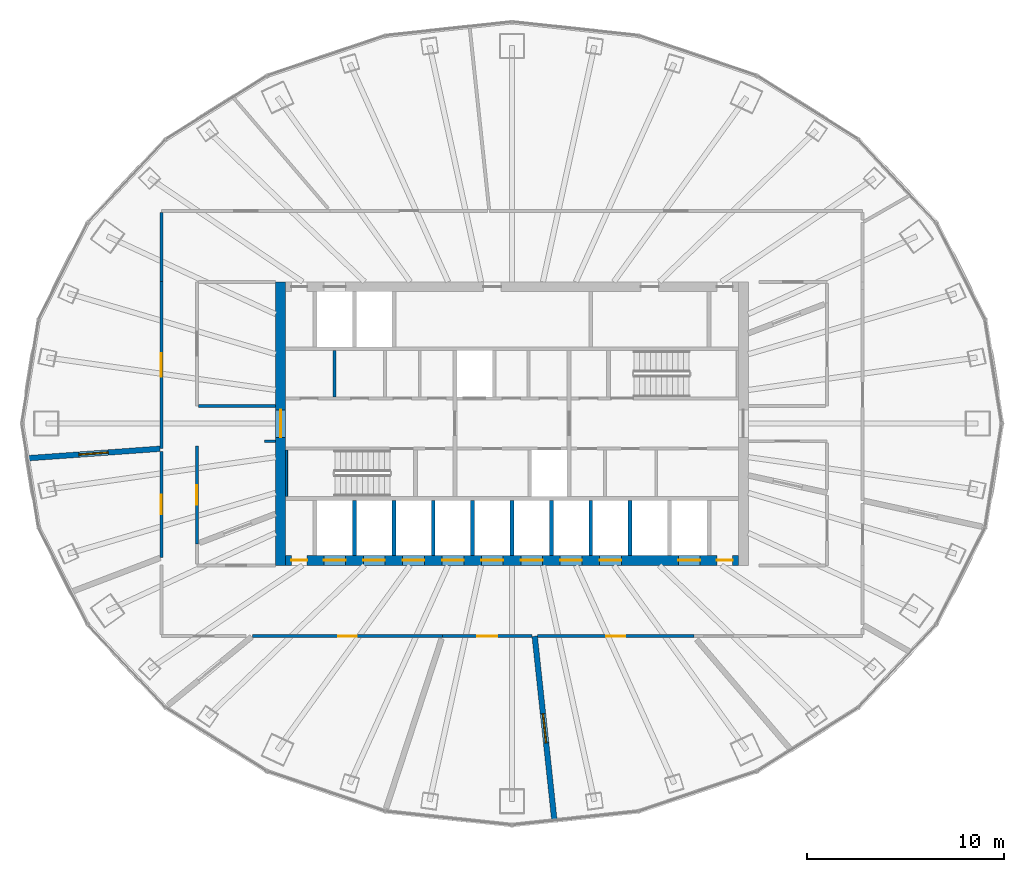
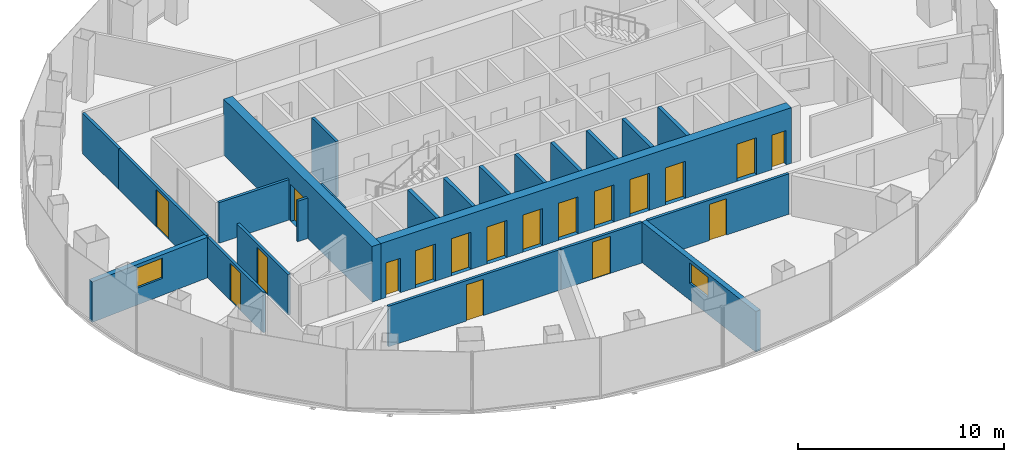
# One storey, part 8 of 12: 23 walls, 18 doors, 2 windows, 20 openings.
"""IFC4 building model written with IfcOpenShell, lengths in metres."""

from ifc_helpers import new_model, si_unit, direction, frame, frame_2d, origin, place, context, subcontext, project, spatial, rectangle, extrude, material, layer, layer_set, type_object, element, fill, save


model = new_model("IFC4")

# Units and contexts
model_context = context("Model", 3, precision=1e-05, world=origin(), true_north=direction((0.0, 1.0)))
body_context = subcontext(model_context, "Body", "Model", "MODEL_VIEW")
ifc_project = project(units=[si_unit("LENGTHUNIT", "METRE"), si_unit("AREAUNIT", "SQUARE_METRE"), si_unit("VOLUMEUNIT", "CUBIC_METRE"), si_unit("PLANEANGLEUNIT", "RADIAN"), si_unit("MASSUNIT", "GRAM", prefix="KILO")], contexts=[model_context])

# Site, building, storey
site_placement = place(None, origin())
site = spatial("IfcSite", under=ifc_project, at=site_placement, CompositionType="ELEMENT")
building_placement = place(site_placement, origin())
building = spatial("IfcBuilding", under=site, at=building_placement, Name="Siaravel Broadcast Tower", CompositionType="ELEMENT")
storey_placement = place(building_placement, frame((0.0, 0.0, 137.800048828125)))
storey = spatial("IfcBuildingStorey", under=building, at=storey_placement, Name="L33", CompositionType="ELEMENT", Elevation=137.800048828125)

# Wall, opening, window
ifc_material_1 = material(Name="Double-leaf acoustic partition", Category="gypsum")
ifc_layer_1 = layer(ifc_material_1, 0.280029296875)
ifc_layer_set_1 = layer_set([ifc_layer_1], Name="Double-leaf acoustic partition")
wall_type_1 = type_object("IfcWallType", Name="Acoustic double-leaf wall 280", PredefinedType="PARTITIONING", material=ifc_layer_set_1)
wall_1_placement = place(storey_placement, frame((2.152099609375, -20.147705078125, 0.0), z_axis=(0.0, 0.0, 1.0), x_axis=(-0.106217678, 0.994342901, 0.0)))
wall_1 = element("IfcWall", 1, at=wall_1_placement, inside=storey, type_object=wall_type_1, Name="L33 partition 5", PredefinedType="PARTITIONING", context=body_context, shape_type="SweptSolid", body=[
    extrude(rectangle(XDim=9.40087890625, YDim=0.280029296875, at=frame_2d((4.700439453125, 0.0))), origin(), (0.0, 0.0, 1.0), 2.39990234375),
])
opening_1_placement = place(wall_1_placement, frame((3.950439453125, 0.0, 1.0)))
opening_1 = element("IfcOpeningElement", 2, at=opening_1_placement, cuts=wall_1, Name="Opening L33-W04", PredefinedType="OPENING", context=body_context, shape_type="SweptSolid", body=[
    extrude(rectangle(XDim=1.5, YDim=1.199951171875, at=frame_2d((0.75, 0.60009765625))), frame((0.0, 0.14990234375, 0.0), z_axis=(0.0, -1.0, 0.0), x_axis=(1.0, 0.0, 0.0)), (0.0, 0.0, 1.0), 0.300048828125),
])
ifc_material_2 = material(Name="Laminated acoustic glass", Category="glass")
window_type = type_object("IfcWindowType", Name="Studio viewing window 1500", PartitioningType="SINGLE_PANEL", PredefinedType="WINDOW", material=ifc_material_2)
window_1_placement = place(opening_1_placement, origin())
window_1 = element("IfcWindow", 3, at=window_1_placement, inside=storey, type_object=window_type, Name="L33 viewing window to Viewing theatre", OverallHeight=1.199951171875, OverallWidth=1.5, PartitioningType="SINGLE_PANEL", PredefinedType="WINDOW", context=body_context, shape_type="SweptSolid", body=[
    extrude(rectangle(XDim=1.5, YDim=1.199951171875, at=frame_2d((0.75, 0.60009765625))), frame((0.0, 0.030029296875, 0.0), z_axis=(0.0, -1.0, 0.0), x_axis=(1.0, 0.0, 0.0)), (0.0, 0.0, 1.0), 0.06005859375),
])
fill(opening_1, window_1)

wall_2_placement = place(storey_placement, frame((-24.622314453125, -1.764404296875, 0.0), z_axis=(0.0, 0.0, 1.0), x_axis=(0.997442181, 0.071477941, 0.0)))
wall_2 = element("IfcWall", 4, at=wall_2_placement, inside=storey, type_object=wall_type_1, Name="L33 partition 14", PredefinedType="PARTITIONING", context=body_context, shape_type="SweptSolid", body=[
    extrude(rectangle(XDim=6.762939453125, YDim=0.280029296875, at=frame_2d((3.38134765625, 0.0))), origin(), (0.0, 0.0, 1.0), 2.39990234375),
])
opening_2_placement = place(wall_2_placement, frame((2.631591796875, 0.0, 1.0)))
opening_2 = element("IfcOpeningElement", 5, at=opening_2_placement, cuts=wall_2, Name="Opening L33-W01", PredefinedType="OPENING", context=body_context, shape_type="SweptSolid", body=[
    extrude(rectangle(XDim=1.5, YDim=1.199951171875, at=frame_2d((0.75, 0.60009765625))), frame((0.0, 0.14990234375, 0.0), z_axis=(0.0, -1.0, 0.0), x_axis=(1.0, 0.0, 0.0)), (0.0, 0.0, 1.0), 0.300048828125),
])
window_2_placement = place(opening_2_placement, origin())
window_2 = element("IfcWindow", 6, at=window_2_placement, inside=storey, type_object=window_type, Name="L33 viewing window to Post-production room", OverallHeight=1.199951171875, OverallWidth=1.5, PartitioningType="SINGLE_PANEL", PredefinedType="WINDOW", context=body_context, shape_type="SweptSolid", body=[
    extrude(rectangle(XDim=1.5, YDim=1.199951171875, at=frame_2d((0.75, 0.60009765625))), frame((0.0, 0.030029296875, 0.0), z_axis=(0.0, -1.0, 0.0), x_axis=(1.0, 0.0, 0.0)), (0.0, 0.0, 1.0), 0.06005859375),
])
fill(opening_2, window_2)

# Wall
ifc_material_3 = material(Name="Concrete blockwork", Category="masonry")
ifc_layer_2 = layer(ifc_material_3, 0.14990234375)
ifc_layer_set_2 = layer_set([ifc_layer_2], Name="Concrete blockwork")
wall_type_2 = type_object("IfcWallType", Name="Core partition 150", PredefinedType="PARTITIONING", material=ifc_layer_set_2)
wall_3_placement = place(storey_placement, frame((-9.010009765625, 1.35009765625, 0.0), z_axis=(0.0, 0.0, 1.0), x_axis=(0.0, 1.0, 0.0)))
element("IfcWall", 7, at=wall_3_placement, inside=storey, type_object=wall_type_2, Name="L33 core partition PNW0", PredefinedType="PARTITIONING", context=body_context, shape_type="SweptSolid", body=[
    extrude(rectangle(XDim=2.349853515625, YDim=0.14990234375, at=frame_2d((1.1748046875, 0.0))), origin(), (0.0, 0.0, 1.0), 3.300048828125),
])

# Wall, opening, door
ifc_material_4 = material(Name="Concrete C60/75", Category="concrete")
ifc_layer_3 = layer(ifc_material_4, 0.5)
ifc_layer_set_3 = layer_set([ifc_layer_3], Name="Concrete C60/75")
wall_type_3 = type_object("IfcWallType", Name="Core wall 500", PredefinedType="SHEAR", material=ifc_layer_set_3)
wall_4_placement = place(storey_placement, frame((-11.75, -7.199951171875, 0.0), z_axis=(0.0, 0.0, 1.0), x_axis=(0.0, 1.0, 0.0)))
wall_4 = element("IfcWall", 8, at=wall_4_placement, inside=storey, type_object=wall_type_3, Name="L33 core wall OW", PredefinedType="SHEAR", context=body_context, shape_type="SweptSolid", body=[
    extrude(rectangle(XDim=14.39990234375, YDim=0.5, at=frame_2d((7.199951171875, 0.0))), origin(), (0.0, 0.0, 1.0), 3.300048828125),
])
opening_3_placement = place(wall_4_placement, frame((6.5, 0.0, 0.0)))
opening_3 = element("IfcOpeningElement", 9, at=opening_3_placement, cuts=wall_4, Name="Opening L33-DX-W", PredefinedType="OPENING", context=body_context, shape_type="SweptSolid", body=[
    extrude(rectangle(XDim=1.39990234375, YDim=2.199951171875, at=frame_2d((0.699951171875, 1.10009765625))), frame((0.0, 0.260009765625, 0.0), z_axis=(0.0, -1.0, 0.0), x_axis=(1.0, 0.0, 0.0)), (0.0, 0.0, 1.0), 0.52001953125),
])
ifc_material_5 = material(Name="Steel", Category="steel")
door_type_1 = type_object("IfcDoorType", Name="Core exit door 1400", OperationType="DOUBLE_DOOR_SINGLE_SWING", PredefinedType="DOOR", material=ifc_material_5)
door_1_placement = place(opening_3_placement, origin())
door_1 = element("IfcDoor", 10, at=door_1_placement, inside=storey, type_object=door_type_1, Name="L33 door DX-W", OperationType="DOUBLE_DOOR_SINGLE_SWING", OverallHeight=2.199951171875, OverallWidth=1.39990234375, PredefinedType="DOOR", context=body_context, shape_type="SweptSolid", body=[
    extrude(rectangle(XDim=1.39990234375, YDim=2.199951171875, at=frame_2d((0.699951171875, 1.10009765625))), frame((0.0, 0.02490234375, 0.0), z_axis=(0.0, -1.0, 0.0), x_axis=(1.0, 0.0, 0.0)), (0.0, 0.0, 1.0), 0.050048828125),
])
fill(opening_3, door_1)

# Wall, openings, doors
wall_5_placement = place(storey_placement, frame((-11.5, -6.949951171875, 0.0), z_axis=(0.0, 0.0, 1.0), x_axis=(1.0, 0.0, 0.0)))
wall_5 = element("IfcWall", 11, at=wall_5_placement, inside=storey, type_object=wall_type_3, Name="L33 core wall OS", PredefinedType="SHEAR", context=body_context, shape_type="SweptSolid", body=[
    extrude(rectangle(XDim=23.0, YDim=0.5, at=frame_2d((11.5, 0.0))), origin(), (0.0, 0.0, 1.0), 3.300048828125),
])
opening_4_placement = place(wall_5_placement, frame((1.949951171875, 0.0, 0.0)))
opening_4 = element("IfcOpeningElement", 12, at=opening_4_placement, cuts=wall_5, Name="Opening LD-LP1-L33", PredefinedType="OPENING", context=body_context, shape_type="SweptSolid", body=[
    extrude(rectangle(XDim=1.10009765625, YDim=2.199951171875, at=frame_2d((0.550048828125, 1.10009765625))), frame((0.0, 0.260009765625, 0.0), z_axis=(0.0, -1.0, 0.0), x_axis=(1.0, 0.0, 0.0)), (0.0, 0.0, 1.0), 0.52001953125),
])
opening_5_placement = place(wall_5_placement, frame((3.949951171875, 0.0, 0.0)))
opening_5 = element("IfcOpeningElement", 13, at=opening_5_placement, cuts=wall_5, Name="Opening LD-LP2-L33", PredefinedType="OPENING", context=body_context, shape_type="SweptSolid", body=[
    extrude(rectangle(XDim=1.10009765625, YDim=2.199951171875, at=frame_2d((0.550048828125, 1.10009765625))), frame((0.0, 0.260009765625, 0.0), z_axis=(0.0, -1.0, 0.0), x_axis=(1.0, 0.0, 0.0)), (0.0, 0.0, 1.0), 0.52001953125),
])
opening_6_placement = place(wall_5_placement, frame((5.949951171875, 0.0, 0.0)))
opening_6 = element("IfcOpeningElement", 14, at=opening_6_placement, cuts=wall_5, Name="Opening LD-LP3-L33", PredefinedType="OPENING", context=body_context, shape_type="SweptSolid", body=[
    extrude(rectangle(XDim=1.10009765625, YDim=2.199951171875, at=frame_2d((0.550048828125, 1.10009765625))), frame((0.0, 0.260009765625, 0.0), z_axis=(0.0, -1.0, 0.0), x_axis=(1.0, 0.0, 0.0)), (0.0, 0.0, 1.0), 0.52001953125),
])
opening_7_placement = place(wall_5_placement, frame((7.949951171875, 0.0, 0.0)))
opening_7 = element("IfcOpeningElement", 15, at=opening_7_placement, cuts=wall_5, Name="Opening LD-LP4-L33", PredefinedType="OPENING", context=body_context, shape_type="SweptSolid", body=[
    extrude(rectangle(XDim=1.10009765625, YDim=2.199951171875, at=frame_2d((0.550048828125, 1.10009765625))), frame((0.0, 0.260009765625, 0.0), z_axis=(0.0, -1.0, 0.0), x_axis=(1.0, 0.0, 0.0)), (0.0, 0.0, 1.0), 0.52001953125),
])
opening_8_placement = place(wall_5_placement, frame((9.949951171875, 0.0, 0.0)))
opening_8 = element("IfcOpeningElement", 16, at=opening_8_placement, cuts=wall_5, Name="Opening LD-LP5-L33", PredefinedType="OPENING", context=body_context, shape_type="SweptSolid", body=[
    extrude(rectangle(XDim=1.10009765625, YDim=2.199951171875, at=frame_2d((0.550048828125, 1.10009765625))), frame((0.0, 0.260009765625, 0.0), z_axis=(0.0, -1.0, 0.0), x_axis=(1.0, 0.0, 0.0)), (0.0, 0.0, 1.0), 0.52001953125),
])
opening_9_placement = place(wall_5_placement, frame((11.949951171875, 0.0, 0.0)))
opening_9 = element("IfcOpeningElement", 17, at=opening_9_placement, cuts=wall_5, Name="Opening LD-LP6-L33", PredefinedType="OPENING", context=body_context, shape_type="SweptSolid", body=[
    extrude(rectangle(XDim=1.10009765625, YDim=2.199951171875, at=frame_2d((0.550048828125, 1.10009765625))), frame((0.0, 0.260009765625, 0.0), z_axis=(0.0, -1.0, 0.0), x_axis=(1.0, 0.0, 0.0)), (0.0, 0.0, 1.0), 0.52001953125),
])
opening_10_placement = place(wall_5_placement, frame((13.949951171875, 0.0, 0.0)))
opening_10 = element("IfcOpeningElement", 18, at=opening_10_placement, cuts=wall_5, Name="Opening LD-LP7-L33", PredefinedType="OPENING", context=body_context, shape_type="SweptSolid", body=[
    extrude(rectangle(XDim=1.10009765625, YDim=2.199951171875, at=frame_2d((0.550048828125, 1.10009765625))), frame((0.0, 0.260009765625, 0.0), z_axis=(0.0, -1.0, 0.0), x_axis=(1.0, 0.0, 0.0)), (0.0, 0.0, 1.0), 0.52001953125),
])
opening_11_placement = place(wall_5_placement, frame((15.949951171875, 0.0, 0.0)))
opening_11 = element("IfcOpeningElement", 19, at=opening_11_placement, cuts=wall_5, Name="Opening LD-LP8-L33", PredefinedType="OPENING", context=body_context, shape_type="SweptSolid", body=[
    extrude(rectangle(XDim=1.10009765625, YDim=2.199951171875, at=frame_2d((0.550048828125, 1.10009765625))), frame((0.0, 0.260009765625, 0.0), z_axis=(0.0, -1.0, 0.0), x_axis=(1.0, 0.0, 0.0)), (0.0, 0.0, 1.0), 0.52001953125),
])
opening_12_placement = place(wall_5_placement, frame((19.949951171875, 0.0, 0.0)))
opening_12 = element("IfcOpeningElement", 20, at=opening_12_placement, cuts=wall_5, Name="Opening LD-SV1-L33", PredefinedType="OPENING", context=body_context, shape_type="SweptSolid", body=[
    extrude(rectangle(XDim=1.10009765625, YDim=2.199951171875, at=frame_2d((0.550048828125, 1.10009765625))), frame((0.0, 0.260009765625, 0.0), z_axis=(0.0, -1.0, 0.0), x_axis=(1.0, 0.0, 0.0)), (0.0, 0.0, 1.0), 0.52001953125),
])
opening_13_placement = place(wall_5_placement, frame((0.300048828125, 0.0, 0.0)))
opening_13 = element("IfcOpeningElement", 21, at=opening_13_placement, cuts=wall_5, Name="Opening L33-DRSW", PredefinedType="OPENING", context=body_context, shape_type="SweptSolid", body=[
    extrude(rectangle(XDim=0.800048828125, YDim=2.050048828125, at=frame_2d((0.39990234375, 1.02490234375))), frame((0.0, 0.260009765625, 0.0), z_axis=(0.0, -1.0, 0.0), x_axis=(1.0, 0.0, 0.0)), (0.0, 0.0, 1.0), 0.52001953125),
])
opening_14_placement = place(wall_5_placement, frame((21.89990234375, 0.0, 0.0)))
opening_14 = element("IfcOpeningElement", 22, at=opening_14_placement, cuts=wall_5, Name="Opening L33-DRSE", PredefinedType="OPENING", context=body_context, shape_type="SweptSolid", body=[
    extrude(rectangle(XDim=0.800048828125, YDim=2.050048828125, at=frame_2d((0.39990234375, 1.02490234375))), frame((0.0, 0.260009765625, 0.0), z_axis=(0.0, -1.0, 0.0), x_axis=(1.0, 0.0, 0.0)), (0.0, 0.0, 1.0), 0.52001953125),
])
ifc_material_6 = material(Name="Stainless steel 316L", Category="steel")
door_type_2 = type_object("IfcDoorType", Name="Lift landing door 1100", OperationType="DOUBLE_DOOR_SLIDING", PredefinedType="DOOR", material=ifc_material_6)
door_2_placement = place(opening_4_placement, origin())
door_2 = element("IfcDoor", 23, at=door_2_placement, inside=storey, type_object=door_type_2, Name="Landing door LP1 L33", OperationType="DOUBLE_DOOR_SLIDING", OverallHeight=2.199951171875, OverallWidth=1.10009765625, PredefinedType="DOOR", context=body_context, shape_type="SweptSolid", body=[
    extrude(rectangle(XDim=1.10009765625, YDim=2.199951171875, at=frame_2d((0.550048828125, 1.10009765625))), frame((0.0, 0.02490234375, 0.0), z_axis=(0.0, -1.0, 0.0), x_axis=(1.0, 0.0, 0.0)), (0.0, 0.0, 1.0), 0.050048828125),
])
fill(opening_4, door_2)
door_3_placement = place(opening_5_placement, origin())
door_3 = element("IfcDoor", 24, at=door_3_placement, inside=storey, type_object=door_type_2, Name="Landing door LP2 L33", OperationType="DOUBLE_DOOR_SLIDING", OverallHeight=2.199951171875, OverallWidth=1.10009765625, PredefinedType="DOOR", context=body_context, shape_type="SweptSolid", body=[
    extrude(rectangle(XDim=1.10009765625, YDim=2.199951171875, at=frame_2d((0.550048828125, 1.10009765625))), frame((0.0, 0.02490234375, 0.0), z_axis=(0.0, -1.0, 0.0), x_axis=(1.0, 0.0, 0.0)), (0.0, 0.0, 1.0), 0.050048828125),
])
fill(opening_5, door_3)
door_4_placement = place(opening_6_placement, origin())
door_4 = element("IfcDoor", 25, at=door_4_placement, inside=storey, type_object=door_type_2, Name="Landing door LP3 L33", OperationType="DOUBLE_DOOR_SLIDING", OverallHeight=2.199951171875, OverallWidth=1.10009765625, PredefinedType="DOOR", context=body_context, shape_type="SweptSolid", body=[
    extrude(rectangle(XDim=1.10009765625, YDim=2.199951171875, at=frame_2d((0.550048828125, 1.10009765625))), frame((0.0, 0.02490234375, 0.0), z_axis=(0.0, -1.0, 0.0), x_axis=(1.0, 0.0, 0.0)), (0.0, 0.0, 1.0), 0.050048828125),
])
fill(opening_6, door_4)
door_5_placement = place(opening_7_placement, origin())
door_5 = element("IfcDoor", 26, at=door_5_placement, inside=storey, type_object=door_type_2, Name="Landing door LP4 L33", OperationType="DOUBLE_DOOR_SLIDING", OverallHeight=2.199951171875, OverallWidth=1.10009765625, PredefinedType="DOOR", context=body_context, shape_type="SweptSolid", body=[
    extrude(rectangle(XDim=1.10009765625, YDim=2.199951171875, at=frame_2d((0.550048828125, 1.10009765625))), frame((0.0, 0.02490234375, 0.0), z_axis=(0.0, -1.0, 0.0), x_axis=(1.0, 0.0, 0.0)), (0.0, 0.0, 1.0), 0.050048828125),
])
fill(opening_7, door_5)
door_6_placement = place(opening_8_placement, origin())
door_6 = element("IfcDoor", 27, at=door_6_placement, inside=storey, type_object=door_type_2, Name="Landing door LP5 L33", OperationType="DOUBLE_DOOR_SLIDING", OverallHeight=2.199951171875, OverallWidth=1.10009765625, PredefinedType="DOOR", context=body_context, shape_type="SweptSolid", body=[
    extrude(rectangle(XDim=1.10009765625, YDim=2.199951171875, at=frame_2d((0.550048828125, 1.10009765625))), frame((0.0, 0.02490234375, 0.0), z_axis=(0.0, -1.0, 0.0), x_axis=(1.0, 0.0, 0.0)), (0.0, 0.0, 1.0), 0.050048828125),
])
fill(opening_8, door_6)
door_7_placement = place(opening_9_placement, origin())
door_7 = element("IfcDoor", 28, at=door_7_placement, inside=storey, type_object=door_type_2, Name="Landing door LP6 L33", OperationType="DOUBLE_DOOR_SLIDING", OverallHeight=2.199951171875, OverallWidth=1.10009765625, PredefinedType="DOOR", context=body_context, shape_type="SweptSolid", body=[
    extrude(rectangle(XDim=1.10009765625, YDim=2.199951171875, at=frame_2d((0.550048828125, 1.10009765625))), frame((0.0, 0.02490234375, 0.0), z_axis=(0.0, -1.0, 0.0), x_axis=(1.0, 0.0, 0.0)), (0.0, 0.0, 1.0), 0.050048828125),
])
fill(opening_9, door_7)
door_8_placement = place(opening_10_placement, origin())
door_8 = element("IfcDoor", 29, at=door_8_placement, inside=storey, type_object=door_type_2, Name="Landing door LP7 L33", OperationType="DOUBLE_DOOR_SLIDING", OverallHeight=2.199951171875, OverallWidth=1.10009765625, PredefinedType="DOOR", context=body_context, shape_type="SweptSolid", body=[
    extrude(rectangle(XDim=1.10009765625, YDim=2.199951171875, at=frame_2d((0.550048828125, 1.10009765625))), frame((0.0, 0.02490234375, 0.0), z_axis=(0.0, -1.0, 0.0), x_axis=(1.0, 0.0, 0.0)), (0.0, 0.0, 1.0), 0.050048828125),
])
fill(opening_10, door_8)
door_9_placement = place(opening_11_placement, origin())
door_9 = element("IfcDoor", 30, at=door_9_placement, inside=storey, type_object=door_type_2, Name="Landing door LP8 L33", OperationType="DOUBLE_DOOR_SLIDING", OverallHeight=2.199951171875, OverallWidth=1.10009765625, PredefinedType="DOOR", context=body_context, shape_type="SweptSolid", body=[
    extrude(rectangle(XDim=1.10009765625, YDim=2.199951171875, at=frame_2d((0.550048828125, 1.10009765625))), frame((0.0, 0.02490234375, 0.0), z_axis=(0.0, -1.0, 0.0), x_axis=(1.0, 0.0, 0.0)), (0.0, 0.0, 1.0), 0.050048828125),
])
fill(opening_11, door_9)
door_type_3 = type_object("IfcDoorType", Name="Riser door 800", OperationType="SINGLE_SWING_LEFT", PredefinedType="DOOR", material=ifc_material_5)
door_10_placement = place(opening_13_placement, origin())
door_10 = element("IfcDoor", 31, at=door_10_placement, inside=storey, type_object=door_type_3, Name="L33 door DRSW", OperationType="SINGLE_SWING_LEFT", OverallHeight=2.050048828125, OverallWidth=0.800048828125, PredefinedType="DOOR", context=body_context, shape_type="SweptSolid", body=[
    extrude(rectangle(XDim=0.800048828125, YDim=2.050048828125, at=frame_2d((0.39990234375, 1.02490234375))), frame((0.0, 0.02490234375, 0.0), z_axis=(0.0, -1.0, 0.0), x_axis=(1.0, 0.0, 0.0)), (0.0, 0.0, 1.0), 0.050048828125),
])
fill(opening_13, door_10)
door_11_placement = place(opening_14_placement, origin())
door_11 = element("IfcDoor", 32, at=door_11_placement, inside=storey, type_object=door_type_3, Name="L33 door DRSE", OperationType="SINGLE_SWING_LEFT", OverallHeight=2.050048828125, OverallWidth=0.800048828125, PredefinedType="DOOR", context=body_context, shape_type="SweptSolid", body=[
    extrude(rectangle(XDim=0.800048828125, YDim=2.050048828125, at=frame_2d((0.39990234375, 1.02490234375))), frame((0.0, 0.02490234375, 0.0), z_axis=(0.0, -1.0, 0.0), x_axis=(1.0, 0.0, 0.0)), (0.0, 0.0, 1.0), 0.050048828125),
])
fill(opening_14, door_11)
door_type_4 = type_object("IfcDoorType", Name="Service lift landing door 1100", OperationType="DOUBLE_DOOR_SLIDING", PredefinedType="DOOR", material=ifc_material_6)
door_12_placement = place(opening_12_placement, origin())
door_12 = element("IfcDoor", 33, at=door_12_placement, inside=storey, type_object=door_type_4, Name="Landing door SV1 L33", OperationType="DOUBLE_DOOR_SLIDING", OverallHeight=2.199951171875, OverallWidth=1.10009765625, PredefinedType="DOOR", context=body_context, shape_type="SweptSolid", body=[
    extrude(rectangle(XDim=1.10009765625, YDim=2.199951171875, at=frame_2d((0.550048828125, 1.10009765625))), frame((0.0, 0.02490234375, 0.0), z_axis=(0.0, -1.0, 0.0), x_axis=(1.0, 0.0, 0.0)), (0.0, 0.0, 1.0), 0.050048828125),
])
fill(opening_12, door_12)

# Wall, opening, door
ifc_material_7 = material(Name="Gypsum board partition", Category="gypsum")
ifc_layer_4 = layer(ifc_material_7, 0.14990234375)
ifc_layer_set_4 = layer_set([ifc_layer_4], Name="Gypsum board partition")
wall_type_4 = type_object("IfcWallType", Name="Corridor wall 150", PredefinedType="PARTITIONING", material=ifc_layer_set_4)
wall_6_placement = place(storey_placement, frame((-13.184814453125, -10.800048828125, 0.0), z_axis=(0.0, 0.0, 1.0), x_axis=(1.0, 0.0, 0.0)))
wall_6 = element("IfcWall", 34, at=wall_6_placement, inside=storey, type_object=wall_type_4, Name="L33 partition 3", PredefinedType="PARTITIONING", context=body_context, shape_type="SweptSolid", body=[
    extrude(rectangle(XDim=9.65185546875, YDim=0.14990234375, at=frame_2d((4.825927734375, 0.0))), origin(), (0.0, 0.0, 1.0), 2.39990234375),
])
opening_15_placement = place(wall_6_placement, frame((4.35107421875, 0.0, 0.0)))
opening_15 = element("IfcOpeningElement", 35, at=opening_15_placement, cuts=wall_6, Name="Opening L33-010", PredefinedType="OPENING", context=body_context, shape_type="SweptSolid", body=[
    extrude(rectangle(XDim=0.949951171875, YDim=2.14990234375, at=frame_2d((0.47509765625, 1.074951171875))), frame((0.0, 0.0849609375, 0.0), z_axis=(0.0, -1.0, 0.0), x_axis=(1.0, 0.0, 0.0)), (0.0, 0.0, 1.0), 0.169921875),
])
ifc_material_8 = material(Name="Timber veneer", Category="wood")
door_type_5 = type_object("IfcDoorType", Name="Office door 950", OperationType="SINGLE_SWING_LEFT", PredefinedType="DOOR", material=ifc_material_8)
door_13_placement = place(opening_15_placement, origin())
door_13 = element("IfcDoor", 36, at=door_13_placement, inside=storey, type_object=door_type_5, Name="L33 door to Design studio", OperationType="SINGLE_SWING_RIGHT", OverallHeight=2.14990234375, OverallWidth=0.949951171875, PredefinedType="DOOR", context=body_context, shape_type="SweptSolid", body=[
    extrude(rectangle(XDim=0.949951171875, YDim=2.14990234375, at=frame_2d((0.47509765625, 1.074951171875))), frame((0.0, 0.02490234375, 0.0), z_axis=(0.0, -1.0, 0.0), x_axis=(1.0, 0.0, 0.0)), (0.0, 0.0, 1.0), 0.050048828125),
])
fill(opening_15, door_13)

wall_7_placement = place(storey_placement, frame((-17.800048828125, 7.2119140625, 0.0), z_axis=(0.0, 0.0, 1.0), x_axis=(0.0, -1.0, 0.0)))
wall_7 = element("IfcWall", 37, at=wall_7_placement, inside=storey, type_object=wall_type_4, Name="L33 partition 9", PredefinedType="PARTITIONING", context=body_context, shape_type="SweptSolid", body=[
    extrude(rectangle(XDim=8.487548828125, YDim=0.14990234375, at=frame_2d((4.24365234375, 0.0))), origin(), (0.0, 0.0, 1.0), 2.39990234375),
])
opening_16_placement = place(wall_7_placement, frame((3.643798828125, 0.0, 0.0)))
opening_16 = element("IfcOpeningElement", 38, at=opening_16_placement, cuts=wall_7, Name="Opening L33-004", PredefinedType="OPENING", context=body_context, shape_type="SweptSolid", body=[
    extrude(rectangle(XDim=1.199951171875, YDim=2.199951171875, at=frame_2d((0.60009765625, 1.10009765625))), frame((0.0, 0.0849609375, 0.0), z_axis=(0.0, -1.0, 0.0), x_axis=(1.0, 0.0, 0.0)), (0.0, 0.0, 1.0), 0.169921875),
])
door_type_6 = type_object("IfcDoorType", Name="Office double door 1200", OperationType="DOUBLE_DOOR_SINGLE_SWING", PredefinedType="DOOR", material=ifc_material_8)
door_14_placement = place(opening_16_placement, origin())
door_14 = element("IfcDoor", 39, at=door_14_placement, inside=storey, type_object=door_type_6, Name="L33 door to Open plan production office", OperationType="DOUBLE_DOOR_SINGLE_SWING", OverallHeight=2.199951171875, OverallWidth=1.199951171875, PredefinedType="DOOR", context=body_context, shape_type="SweptSolid", body=[
    extrude(rectangle(XDim=1.199951171875, YDim=2.199951171875, at=frame_2d((0.60009765625, 1.10009765625))), frame((0.0, 0.02490234375, 0.0), z_axis=(0.0, -1.0, 0.0), x_axis=(1.0, 0.0, 0.0)), (0.0, 0.0, 1.0), 0.050048828125),
])
fill(opening_16, door_14)

wall_8_placement = place(storey_placement, frame((1.304443359375, -10.800048828125, 0.0), z_axis=(0.0, 0.0, 1.0), x_axis=(1.0, 0.0, 0.0)))
wall_8 = element("IfcWall", 40, at=wall_8_placement, inside=storey, type_object=wall_type_4, Name="L33 partition 11", PredefinedType="PARTITIONING", context=body_context, shape_type="SweptSolid", body=[
    extrude(rectangle(XDim=7.9267578125, YDim=0.14990234375, at=frame_2d((3.96337890625, 0.0))), origin(), (0.0, 0.0, 1.0), 2.39990234375),
])
opening_17_placement = place(wall_8_placement, frame((3.48828125, 0.0, 0.0)))
opening_17 = element("IfcOpeningElement", 41, at=opening_17_placement, cuts=wall_8, Name="Opening L33-012", PredefinedType="OPENING", context=body_context, shape_type="SweptSolid", body=[
    extrude(rectangle(XDim=0.949951171875, YDim=2.14990234375, at=frame_2d((0.47509765625, 1.074951171875))), frame((0.0, 0.0849609375, 0.0), z_axis=(0.0, -1.0, 0.0), x_axis=(1.0, 0.0, 0.0)), (0.0, 0.0, 1.0), 0.169921875),
])
door_15_placement = place(opening_17_placement, origin())
door_15 = element("IfcDoor", 42, at=door_15_placement, inside=storey, type_object=door_type_5, Name="L33 door to Design studio", OperationType="SINGLE_SWING_RIGHT", OverallHeight=2.14990234375, OverallWidth=0.949951171875, PredefinedType="DOOR", context=body_context, shape_type="SweptSolid", body=[
    extrude(rectangle(XDim=0.949951171875, YDim=2.14990234375, at=frame_2d((0.47509765625, 1.074951171875))), frame((0.0, 0.02490234375, 0.0), z_axis=(0.0, -1.0, 0.0), x_axis=(1.0, 0.0, 0.0)), (0.0, 0.0, 1.0), 0.050048828125),
])
fill(opening_17, door_15)

wall_9_placement = place(storey_placement, frame((-17.800048828125, -1.42333984375, 0.0), z_axis=(0.0, 0.0, 1.0), x_axis=(0.0, -1.0, 0.0)))
wall_9 = element("IfcWall", 43, at=wall_9_placement, inside=storey, type_object=wall_type_4, Name="L33 partition 18", PredefinedType="PARTITIONING", context=body_context, shape_type="SweptSolid", body=[
    extrude(rectangle(XDim=5.37548828125, YDim=0.14990234375, at=frame_2d((2.687744140625, 0.0))), origin(), (0.0, 0.0, 1.0), 2.39990234375),
])
opening_18_placement = place(wall_9_placement, frame((2.187744140625, 0.0, 0.0)))
opening_18 = element("IfcOpeningElement", 44, at=opening_18_placement, cuts=wall_9, Name="Opening L33-006", PredefinedType="OPENING", context=body_context, shape_type="SweptSolid", body=[
    extrude(rectangle(XDim=1.0, YDim=2.199951171875, at=frame_2d((0.5, 1.10009765625))), frame((0.0, 0.0849609375, 0.0), z_axis=(0.0, -1.0, 0.0), x_axis=(1.0, 0.0, 0.0)), (0.0, 0.0, 1.0), 0.169921875),
])
ifc_material_9 = material(Name="Acoustic timber and steel", Category="steel")
door_type_7 = type_object("IfcDoorType", Name="Acoustic door 1000", OperationType="SINGLE_SWING_LEFT", PredefinedType="DOOR", material=ifc_material_9)
door_16_placement = place(opening_18_placement, origin())
door_16 = element("IfcDoor", 45, at=door_16_placement, inside=storey, type_object=door_type_7, Name="L33 door to Post-production room", OperationType="SINGLE_SWING_RIGHT", OverallHeight=2.199951171875, OverallWidth=1.0, PredefinedType="DOOR", context=body_context, shape_type="SweptSolid", body=[
    extrude(rectangle(XDim=1.0, YDim=2.199951171875, at=frame_2d((0.5, 1.10009765625))), frame((0.0, 0.02490234375, 0.0), z_axis=(0.0, -1.0, 0.0), x_axis=(1.0, 0.0, 0.0)), (0.0, 0.0, 1.0), 0.050048828125),
])
fill(opening_18, door_16)

wall_10_placement = place(storey_placement, frame((-16.0, -6.111328125, 0.0), z_axis=(0.0, 0.0, 1.0), x_axis=(0.0, 1.0, 0.0)))
wall_10 = element("IfcWall", 46, at=wall_10_placement, inside=storey, type_object=wall_type_4, Name="L33 partition 20", PredefinedType="PARTITIONING", context=body_context, shape_type="SweptSolid", body=[
    extrude(rectangle(XDim=4.96484375, YDim=0.14990234375, at=frame_2d((2.482421875, 0.0))), origin(), (0.0, 0.0, 1.0), 2.39990234375),
])
opening_19_placement = place(wall_10_placement, frame((1.982421875, 0.0, 0.0)))
opening_19 = element("IfcOpeningElement", 47, at=opening_19_placement, cuts=wall_10, Name="Opening L33-007", PredefinedType="OPENING", context=body_context, shape_type="SweptSolid", body=[
    extrude(rectangle(XDim=1.0, YDim=2.199951171875, at=frame_2d((0.5, 1.10009765625))), frame((0.0, 0.0849609375, 0.0), z_axis=(0.0, -1.0, 0.0), x_axis=(1.0, 0.0, 0.0)), (0.0, 0.0, 1.0), 0.169921875),
])
door_17_placement = place(opening_19_placement, origin())
door_17 = element("IfcDoor", 48, at=door_17_placement, inside=storey, type_object=door_type_7, Name="L33 door to Post-production room", OperationType="SINGLE_SWING_LEFT", OverallHeight=2.199951171875, OverallWidth=1.0, PredefinedType="DOOR", context=body_context, shape_type="SweptSolid", body=[
    extrude(rectangle(XDim=1.0, YDim=2.199951171875, at=frame_2d((0.5, 1.10009765625))), frame((0.0, 0.02490234375, 0.0), z_axis=(0.0, -1.0, 0.0), x_axis=(1.0, 0.0, 0.0)), (0.0, 0.0, 1.0), 0.050048828125),
])
fill(opening_19, door_17)

wall_11_placement = place(storey_placement, frame((-3.531982421875, -10.800048828125, 0.0), z_axis=(0.0, 0.0, 1.0), x_axis=(1.0, 0.0, 0.0)))
wall_11 = element("IfcWall", 49, at=wall_11_placement, inside=storey, type_object=wall_type_4, Name="L33 partition 22", PredefinedType="PARTITIONING", context=body_context, shape_type="SweptSolid", body=[
    extrude(rectangle(XDim=4.544189453125, YDim=0.14990234375, at=frame_2d((2.27197265625, 0.0))), origin(), (0.0, 0.0, 1.0), 2.39990234375),
])
opening_20_placement = place(wall_11_placement, frame((1.772216796875, 0.0, 0.0)))
opening_20 = element("IfcOpeningElement", 50, at=opening_20_placement, cuts=wall_11, Name="Opening L33-011", PredefinedType="OPENING", context=body_context, shape_type="SweptSolid", body=[
    extrude(rectangle(XDim=1.0, YDim=2.199951171875, at=frame_2d((0.5, 1.10009765625))), frame((0.0, 0.0849609375, 0.0), z_axis=(0.0, -1.0, 0.0), x_axis=(1.0, 0.0, 0.0)), (0.0, 0.0, 1.0), 0.169921875),
])
door_18_placement = place(opening_20_placement, origin())
door_18 = element("IfcDoor", 51, at=door_18_placement, inside=storey, type_object=door_type_7, Name="L33 door to Viewing theatre", OperationType="SINGLE_SWING_LEFT", OverallHeight=2.199951171875, OverallWidth=1.0, PredefinedType="DOOR", context=body_context, shape_type="SweptSolid", body=[
    extrude(rectangle(XDim=1.0, YDim=2.199951171875, at=frame_2d((0.5, 1.10009765625))), frame((0.0, 0.02490234375, 0.0), z_axis=(0.0, -1.0, 0.0), x_axis=(1.0, 0.0, 0.0)), (0.0, 0.0, 1.0), 0.050048828125),
])
fill(opening_20, door_18)

# Walls
wall_12_placement = place(storey_placement, frame((-12.0, 0.89990234375, 0.0), z_axis=(0.0, 0.0, 1.0), x_axis=(-1.0, 0.0, 0.0)))
element("IfcWall", 52, at=wall_12_placement, inside=storey, type_object=wall_type_4, Name="L33 partition 29", PredefinedType="PARTITIONING", context=body_context, shape_type="SweptSolid", body=[
    extrude(rectangle(XDim=3.923095703125, YDim=0.14990234375, at=frame_2d((1.96142578125, 0.0))), origin(), (0.0, 0.0, 1.0), 2.39990234375),
])
wall_13_placement = place(storey_placement, frame((-17.800048828125, 10.722900390625, 0.0), z_axis=(0.0, 0.0, 1.0), x_axis=(0.0, -1.0, 0.0)))
element("IfcWall", 53, at=wall_13_placement, inside=storey, type_object=wall_type_4, Name="L33 partition 34", PredefinedType="PARTITIONING", context=body_context, shape_type="SweptSolid", body=[
    extrude(rectangle(XDim=3.510009765625, YDim=0.14990234375, at=frame_2d((1.7548828125, 0.0))), origin(), (0.0, 0.0, 1.0), 2.39990234375),
])
wall_14_placement = place(storey_placement, frame((-12.558837890625, -0.89990234375, 0.0), z_axis=(0.0, 0.0, 1.0), x_axis=(1.0, 0.0, 0.0)))
element("IfcWall", 54, at=wall_14_placement, inside=storey, type_object=wall_type_4, Name="L33 partition 47", PredefinedType="PARTITIONING", context=body_context, shape_type="SweptSolid", body=[
    extrude(rectangle(XDim=0.558837890625, YDim=0.14990234375, at=frame_2d((0.279296875, 0.0))), origin(), (0.0, 0.0, 1.0), 2.39990234375),
])
ifc_layer_5 = layer(ifc_material_4, 0.10009765625)
ifc_layer_set_5 = layer_set([ifc_layer_5], Name="Concrete C60/75")
wall_type_5 = type_object("IfcWallType", Name="Shaft wall 100", PredefinedType="SHEAR", material=ifc_layer_set_5)
wall_15_placement = place(storey_placement, frame((-11.449951171875, -3.699951171875, 0.0), z_axis=(0.0, 0.0, 1.0), x_axis=(0.0, 1.0, 0.0)))
element("IfcWall", 55, at=wall_15_placement, inside=storey, type_object=wall_type_5, Name="L33 core wall ST1W", PredefinedType="SHEAR", context=body_context, shape_type="SweptSolid", body=[
    extrude(rectangle(XDim=2.349853515625, YDim=0.10009765625, at=frame_2d((1.1748046875, 0.0))), origin(), (0.0, 0.0, 1.0), 3.300048828125),
])
ifc_layer_6 = layer(ifc_material_4, 0.199951171875)
ifc_layer_set_6 = layer_set([ifc_layer_6], Name="Concrete C60/75")
wall_type_6 = type_object("IfcWallType", Name="Shaft wall 200", PredefinedType="SHEAR", material=ifc_layer_set_6)
for number, where, z_axis, x_axis, name in (
    (56, (-8.0, -6.699951171875, 0.0), (0.0, 0.0, 1.0), (0.0, 1.0, 0.0), "L33 core wall SWS1"),
    (57, (-6.0, -6.699951171875, 0.0), (0.0, 0.0, 1.0), (0.0, 1.0, 0.0), "L33 core wall SWS2"),
    (58, (-4.0, -6.699951171875, 0.0), (0.0, 0.0, 1.0), (0.0, 1.0, 0.0), "L33 core wall SWS3"),
    (59, (-2.0, -6.699951171875, 0.0), (0.0, 0.0, 1.0), (0.0, 1.0, 0.0), "L33 core wall SWS4"),
    (60, (0.0, -6.699951171875, 0.0), (0.0, 0.0, 1.0), (0.0, 1.0, 0.0), "L33 core wall SWS5"),
    (61, (2.0, -6.699951171875, 0.0), (0.0, 0.0, 1.0), (0.0, 1.0, 0.0), "L33 core wall SWS6"),
    (62, (4.0, -6.699951171875, 0.0), (0.0, 0.0, 1.0), (0.0, 1.0, 0.0), "L33 core wall SWS7"),
    (63, (6.0, -6.699951171875, 0.0), (0.0, 0.0, 1.0), (0.0, 1.0, 0.0), "L33 core wall SWS8"),
):
    element("IfcWall", number, at=place(storey_placement, frame(where, z_axis=z_axis, x_axis=x_axis)), inside=storey, type_object=wall_type_6, Name=name, PredefinedType="SHEAR", context=body_context, shape_type="SweptSolid", body=[
        extrude(rectangle(XDim=2.800048828125, YDim=0.199951171875, at=frame_2d((1.39990234375, 0.0))), origin(), (0.0, 0.0, 1.0), 3.300048828125),
    ])

save(model, "model.ifc")
